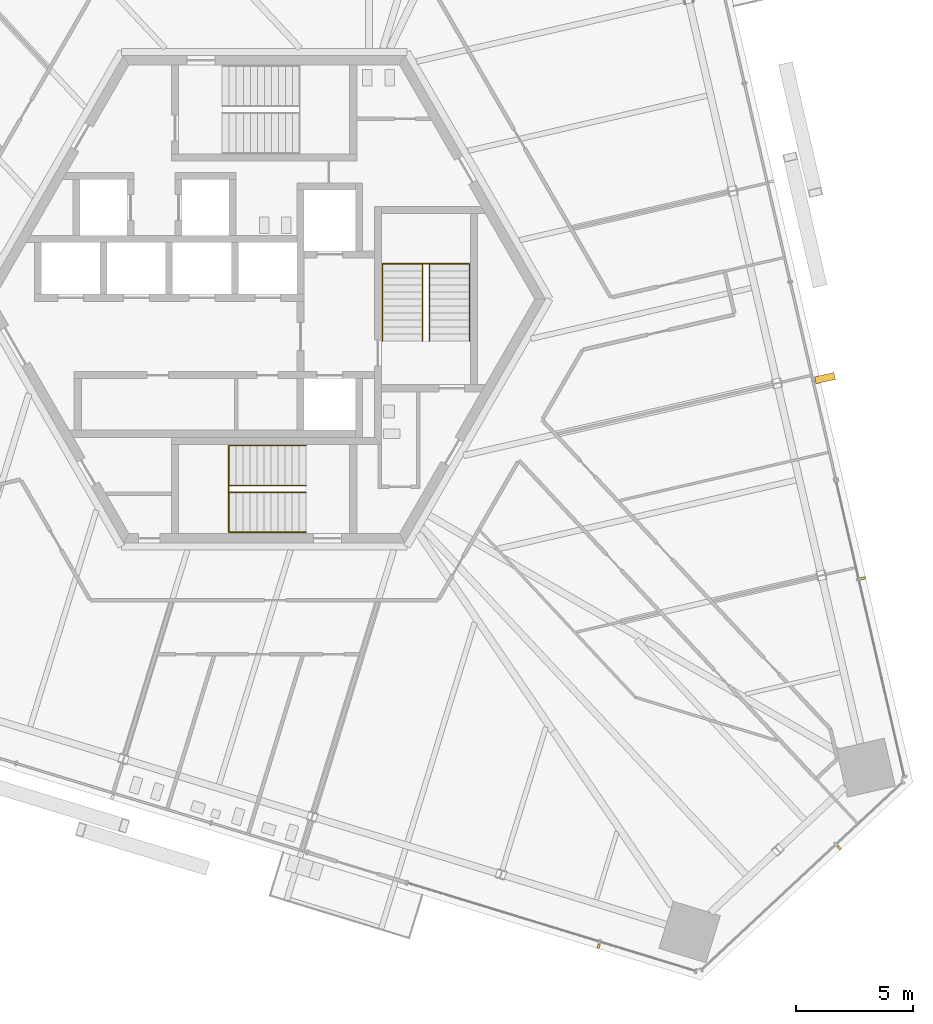
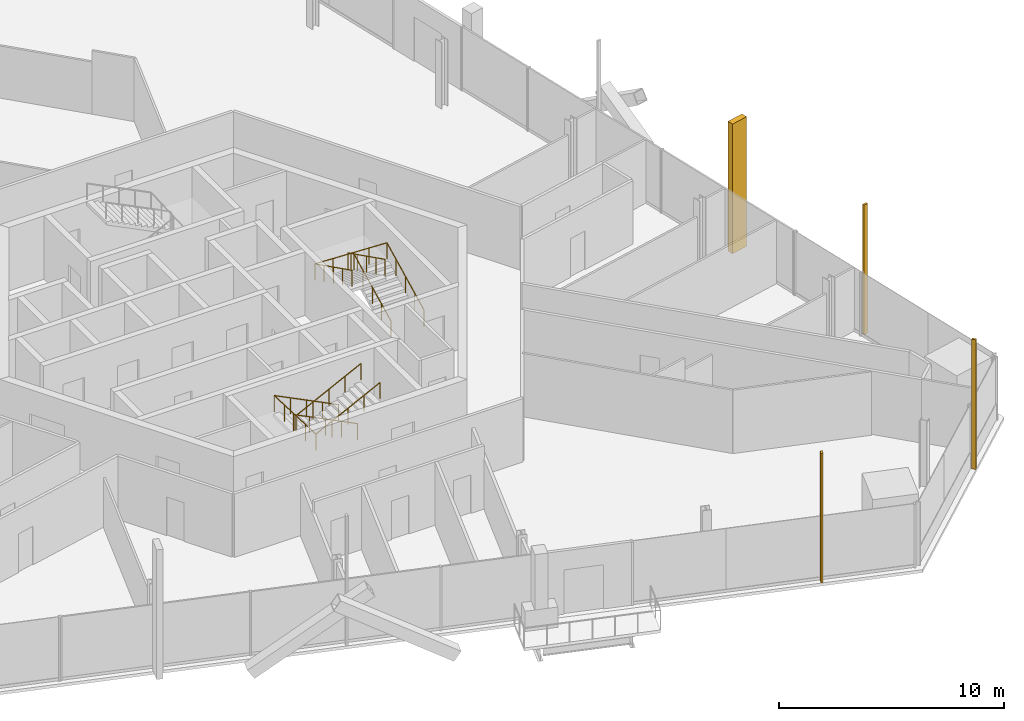
# One storey, part 19 of 24: 4 railings, 4 shading devices.
"""IFC4 building model written with IfcOpenShell, lengths in metres."""

from ifc_helpers import new_model, si_unit, direction, frame, origin, origin_2d, place, context, subcontext, project, spatial, rectangle, circle, extrude, source, transform, mapped, material, type_object, element, save


model = new_model("IFC4")

# Units and contexts
model_context = context("Model", 3, precision=1e-05, world=origin(), true_north=direction((0.0, 1.0)))
body_context = subcontext(model_context, "Body", "Model", "MODEL_VIEW")
ifc_project = project(units=[si_unit("LENGTHUNIT", "METRE"), si_unit("AREAUNIT", "SQUARE_METRE"), si_unit("VOLUMEUNIT", "CUBIC_METRE"), si_unit("PLANEANGLEUNIT", "RADIAN"), si_unit("MASSUNIT", "GRAM", prefix="KILO")], contexts=[model_context])

# Site, building, storey
site_placement = place(None, origin())
site = spatial("IfcSite", under=ifc_project, at=site_placement, CompositionType="ELEMENT")
building_placement = place(site_placement, origin())
building = spatial("IfcBuilding", under=site, at=building_placement, Name="Triune Harvest Tower", CompositionType="ELEMENT")
storey_placement = place(building_placement, frame((0.0, 0.0, 112.699951171875)))
storey = spatial("IfcBuildingStorey", under=building, at=storey_placement, Name="L28", CompositionType="ELEMENT", Elevation=112.699951171875)

# Railings
ifc_material_1 = material(Name="Stainless steel AISI 316", Category="steel")
railing_type = type_object("IfcRailingType", Name="Stair handrail", PredefinedType="HANDRAIL", material=ifc_material_1)
shared_shape_1 = source(origin(), body_context, "Body", "SweptSolid", [
    extrude(circle(Radius=0.02392578125, at=origin_2d()), frame((0.0, 0.0, 0.8759765625), z_axis=(-0.894440424912, 0.0, 0.447187126696), x_axis=(0.0, -1.0, 0.0)), (0.0, 0.0, 1.0), 3.689453125),
    extrude(circle(Radius=0.02392578125, at=origin_2d()), frame((-3.300048828125, 0.0, 2.52587890625), z_axis=(0.0, -0.999180289278, 0.040481471304), x_axis=(1.0, 0.0, 0.0)), (0.0, 0.0, 1.0), 3.702880859375),
    extrude(circle(Radius=0.02392578125, at=origin_2d()), frame((-3.300048828125, -3.699951171875, 2.67578125), z_axis=(0.894413956696, 0.0, 0.447240063129), x_axis=(0.0, 1.0, 0.0)), (0.0, 0.0, 1.0), 3.689697265625),
    extrude(circle(Radius=0.02099609375, at=origin_2d()), origin(), (0.0, 0.0, 1.0), 0.851806640625),
    extrude(circle(Radius=0.02099609375, at=origin_2d()), frame((-0.824951171875, 0.0, 0.41259765625)), (0.0, 0.0, 1.0), 0.851806640625),
    extrude(circle(Radius=0.02099609375, at=origin_2d()), frame((-1.64990234375, 0.0, 0.824951171875)), (0.0, 0.0, 1.0), 0.851806640625),
    extrude(circle(Radius=0.02099609375, at=origin_2d()), frame((-2.47509765625, 0.0, 1.2373046875)), (0.0, 0.0, 1.0), 0.851806640625),
    extrude(circle(Radius=0.02099609375, at=origin_2d()), frame((-3.300048828125, 0.0, 1.64990234375)), (0.0, 0.0, 1.0), 0.851806640625),
    extrude(circle(Radius=0.02099609375, at=origin_2d()), frame((-3.300048828125, -0.925048828125, 1.6875)), (0.0, 0.0, 1.0), 0.851806640625),
    extrude(circle(Radius=0.02099609375, at=origin_2d()), frame((-3.300048828125, -1.85009765625, 1.724853515625)), (0.0, 0.0, 1.0), 0.851806640625),
    extrude(circle(Radius=0.02099609375, at=origin_2d()), frame((-3.300048828125, -2.77490234375, 1.76220703125)), (0.0, 0.0, 1.0), 0.851806640625),
    extrude(circle(Radius=0.02099609375, at=origin_2d()), frame((-3.300048828125, -3.699951171875, 1.7998046875)), (0.0, 0.0, 1.0), 0.851806640625),
    extrude(circle(Radius=0.02099609375, at=origin_2d()), frame((-2.47509765625, -3.699951171875, 2.21240234375)), (0.0, 0.0, 1.0), 0.851806640625),
    extrude(circle(Radius=0.02099609375, at=origin_2d()), frame((-1.64990234375, -3.699951171875, 2.625)), (0.0, 0.0, 1.0), 0.851806640625),
    extrude(circle(Radius=0.02099609375, at=origin_2d()), frame((-0.824951171875, -3.699951171875, 3.037353515625)), (0.0, 0.0, 1.0), 0.851806640625),
    extrude(circle(Radius=0.02099609375, at=origin_2d()), frame((0.0, -3.699951171875, 3.449951171875)), (0.0, 0.0, 1.0), 0.851806640625),
])
railing_1_placement = place(storey_placement, frame((1.7900390625, -6.239990234375, 0.150146484375)))
element("IfcRailing", 1, at=railing_1_placement, inside=storey, type_object=railing_type, Name="Exit stair south wall handrail", PredefinedType="HANDRAIL", context=body_context, shape_type="MappedRepresentation", body=[
    mapped(shared_shape_1, transform((0.0, 0.0, 0.0), scale=1.0)),
])
shared_shape_2 = source(origin(), body_context, "Body", "SweptSolid", [
    extrude(circle(Radius=0.02392578125, at=origin_2d()), frame((0.0, 0.0, 0.8759765625), z_axis=(-0.894440424912, 0.0, 0.447187126696), x_axis=(0.0, -1.0, 0.0)), (0.0, 0.0, 1.0), 3.689453125),
    extrude(circle(Radius=0.02392578125, at=origin_2d()), frame((-3.300048828125, 0.0, 2.52587890625), z_axis=(0.0, -0.894572720946, 0.446922417137), x_axis=(1.0, 0.0, 0.0)), (0.0, 0.0, 1.0), 0.33544921875),
    extrude(circle(Radius=0.02392578125, at=origin_2d()), frame((-3.300048828125, -0.300048828125, 2.67578125), z_axis=(0.894413956696, 0.0, 0.447240063129), x_axis=(0.0, 1.0, 0.0)), (0.0, 0.0, 1.0), 3.689697265625),
    extrude(circle(Radius=0.02099609375, at=origin_2d()), origin(), (0.0, 0.0, 1.0), 0.851806640625),
    extrude(circle(Radius=0.02099609375, at=origin_2d()), frame((-0.824951171875, 0.0, 0.41259765625)), (0.0, 0.0, 1.0), 0.851806640625),
    extrude(circle(Radius=0.02099609375, at=origin_2d()), frame((-1.64990234375, 0.0, 0.824951171875)), (0.0, 0.0, 1.0), 0.851806640625),
    extrude(circle(Radius=0.02099609375, at=origin_2d()), frame((-2.47509765625, 0.0, 1.2373046875)), (0.0, 0.0, 1.0), 0.851806640625),
    extrude(circle(Radius=0.02099609375, at=origin_2d()), frame((-3.300048828125, 0.0, 1.64990234375)), (0.0, 0.0, 1.0), 0.851806640625),
    extrude(circle(Radius=0.02099609375, at=origin_2d()), frame((-3.300048828125, -0.300048828125, 1.7998046875)), (0.0, 0.0, 1.0), 0.851806640625),
    extrude(circle(Radius=0.02099609375, at=origin_2d()), frame((-2.47509765625, -0.300048828125, 2.21240234375)), (0.0, 0.0, 1.0), 0.851806640625),
    extrude(circle(Radius=0.02099609375, at=origin_2d()), frame((-1.64990234375, -0.300048828125, 2.625)), (0.0, 0.0, 1.0), 0.851806640625),
    extrude(circle(Radius=0.02099609375, at=origin_2d()), frame((-0.824951171875, -0.300048828125, 3.037353515625)), (0.0, 0.0, 1.0), 0.851806640625),
    extrude(circle(Radius=0.02099609375, at=origin_2d()), frame((0.0, -0.300048828125, 3.449951171875)), (0.0, 0.0, 1.0), 0.851806640625),
])
railing_2_placement = place(storey_placement, frame((1.7900390625, -7.93994140625, 0.150146484375)))
element("IfcRailing", 2, at=railing_2_placement, inside=storey, type_object=railing_type, Name="Exit stair south centre handrail", PredefinedType="HANDRAIL", context=body_context, shape_type="MappedRepresentation", body=[
    mapped(shared_shape_2, transform((0.0, 0.0, 0.0), scale=1.0)),
])
shared_shape_3 = source(origin(), body_context, "Body", "SweptSolid", [
    extrude(circle(Radius=0.02392578125, at=origin_2d()), frame((0.0, 0.0, 0.8759765625), z_axis=(0.0, 0.894440424912, 0.447187126696), x_axis=(-1.0, 0.0, 0.0)), (0.0, 0.0, 1.0), 3.689453125),
    extrude(circle(Radius=0.02392578125, at=origin_2d()), frame((0.0, 3.300048828125, 2.52587890625), z_axis=(-0.999180289278, 0.0, 0.040481471304), x_axis=(0.0, -1.0, 0.0)), (0.0, 0.0, 1.0), 3.702880859375),
    extrude(circle(Radius=0.02392578125, at=origin_2d()), frame((-3.699951171875, 3.300048828125, 2.67578125), z_axis=(0.0, -0.894413956696, 0.447240063129), x_axis=(1.0, 0.0, 0.0)), (0.0, 0.0, 1.0), 3.689697265625),
    extrude(circle(Radius=0.02099609375, at=origin_2d()), origin(), (0.0, 0.0, 1.0), 0.851806640625),
    extrude(circle(Radius=0.02099609375, at=origin_2d()), frame((0.0, 0.824951171875, 0.41259765625)), (0.0, 0.0, 1.0), 0.851806640625),
    extrude(circle(Radius=0.02099609375, at=origin_2d()), frame((0.0, 1.64990234375, 0.824951171875)), (0.0, 0.0, 1.0), 0.851806640625),
    extrude(circle(Radius=0.02099609375, at=origin_2d()), frame((0.0, 2.47509765625, 1.2373046875)), (0.0, 0.0, 1.0), 0.851806640625),
    extrude(circle(Radius=0.02099609375, at=origin_2d()), frame((0.0, 3.300048828125, 1.64990234375)), (0.0, 0.0, 1.0), 0.851806640625),
    extrude(circle(Radius=0.02099609375, at=origin_2d()), frame((-0.925048828125, 3.300048828125, 1.6875)), (0.0, 0.0, 1.0), 0.851806640625),
    extrude(circle(Radius=0.02099609375, at=origin_2d()), frame((-1.85009765625, 3.300048828125, 1.724853515625)), (0.0, 0.0, 1.0), 0.851806640625),
    extrude(circle(Radius=0.02099609375, at=origin_2d()), frame((-2.77490234375, 3.300048828125, 1.76220703125)), (0.0, 0.0, 1.0), 0.851806640625),
    extrude(circle(Radius=0.02099609375, at=origin_2d()), frame((-3.699951171875, 3.300048828125, 1.7998046875)), (0.0, 0.0, 1.0), 0.851806640625),
    extrude(circle(Radius=0.02099609375, at=origin_2d()), frame((-3.699951171875, 2.47509765625, 2.21240234375)), (0.0, 0.0, 1.0), 0.851806640625),
    extrude(circle(Radius=0.02099609375, at=origin_2d()), frame((-3.699951171875, 1.64990234375, 2.625)), (0.0, 0.0, 1.0), 0.851806640625),
    extrude(circle(Radius=0.02099609375, at=origin_2d()), frame((-3.699951171875, 0.824951171875, 3.037353515625)), (0.0, 0.0, 1.0), 0.851806640625),
    extrude(circle(Radius=0.02099609375, at=origin_2d()), frame((-3.699951171875, 0.0, 3.449951171875)), (0.0, 0.0, 1.0), 0.851806640625),
])
railing_3_placement = place(storey_placement, frame((8.75, -1.7900390625, 0.150146484375)))
element("IfcRailing", 3, at=railing_3_placement, inside=storey, type_object=railing_type, Name="Exit stair east wall handrail", PredefinedType="HANDRAIL", context=body_context, shape_type="MappedRepresentation", body=[
    mapped(shared_shape_3, transform((0.0, 0.0, 0.0), scale=1.0)),
])
shared_shape_4 = source(origin(), body_context, "Body", "SweptSolid", [
    extrude(circle(Radius=0.02392578125, at=origin_2d()), frame((0.0, 0.0, 0.8759765625), z_axis=(0.0, 0.894440424912, 0.447187126696), x_axis=(-1.0, 0.0, 0.0)), (0.0, 0.0, 1.0), 3.689453125),
    extrude(circle(Radius=0.02392578125, at=origin_2d()), frame((0.0, 3.300048828125, 2.52587890625), z_axis=(-0.894572720946, 0.0, 0.446922417137), x_axis=(0.0, -1.0, 0.0)), (0.0, 0.0, 1.0), 0.33544921875),
    extrude(circle(Radius=0.02392578125, at=origin_2d()), frame((-0.300048828125, 3.300048828125, 2.67578125), z_axis=(0.0, -0.894413956696, 0.447240063129), x_axis=(1.0, 0.0, 0.0)), (0.0, 0.0, 1.0), 3.689697265625),
    extrude(circle(Radius=0.02099609375, at=origin_2d()), origin(), (0.0, 0.0, 1.0), 0.851806640625),
    extrude(circle(Radius=0.02099609375, at=origin_2d()), frame((0.0, 0.824951171875, 0.41259765625)), (0.0, 0.0, 1.0), 0.851806640625),
    extrude(circle(Radius=0.02099609375, at=origin_2d()), frame((0.0, 1.64990234375, 0.824951171875)), (0.0, 0.0, 1.0), 0.851806640625),
    extrude(circle(Radius=0.02099609375, at=origin_2d()), frame((0.0, 2.47509765625, 1.2373046875)), (0.0, 0.0, 1.0), 0.851806640625),
    extrude(circle(Radius=0.02099609375, at=origin_2d()), frame((0.0, 3.300048828125, 1.64990234375)), (0.0, 0.0, 1.0), 0.851806640625),
    extrude(circle(Radius=0.02099609375, at=origin_2d()), frame((-0.300048828125, 3.300048828125, 1.7998046875)), (0.0, 0.0, 1.0), 0.851806640625),
    extrude(circle(Radius=0.02099609375, at=origin_2d()), frame((-0.300048828125, 2.47509765625, 2.21240234375)), (0.0, 0.0, 1.0), 0.851806640625),
    extrude(circle(Radius=0.02099609375, at=origin_2d()), frame((-0.300048828125, 1.64990234375, 2.625)), (0.0, 0.0, 1.0), 0.851806640625),
    extrude(circle(Radius=0.02099609375, at=origin_2d()), frame((-0.300048828125, 0.824951171875, 3.037353515625)), (0.0, 0.0, 1.0), 0.851806640625),
    extrude(circle(Radius=0.02099609375, at=origin_2d()), frame((-0.300048828125, 0.0, 3.449951171875)), (0.0, 0.0, 1.0), 0.851806640625),
])
railing_4_placement = place(storey_placement, frame((7.050048828125, -1.7900390625, 0.150146484375)))
element("IfcRailing", 4, at=railing_4_placement, inside=storey, type_object=railing_type, Name="Exit stair east centre handrail", PredefinedType="HANDRAIL", context=body_context, shape_type="MappedRepresentation", body=[
    mapped(shared_shape_4, transform((0.0, 0.0, 0.0), scale=1.0)),
])

# Shading devices
ifc_material_2 = material(Name="Aluminium bronze anodised", Category="aluminium")
shared_shape_5 = source(origin(), body_context, "Body", "SweptSolid", [
    extrude(rectangle(XDim=0.10009765625, YDim=0.199951171875, at=origin_2d()), origin(), (0.0, 0.0, 1.0), 7.0400390625),
])
for number, where, z_axis, x_axis, name in (
    (5, (25.556640625, -11.902099609375, 0.0), (0.0, 0.0, 1.0), (-0.22495121687, 0.974370027263, 0.0), "FN-1 fin B3-F1.3 L28"),
    (6, (14.260498046875, -27.599609375, 0.0), (0.0, 0.0, 1.0), (0.956304229664, -0.292373426164, 0.0), "FN-1 fin B3-F5.12 L28"),
    (7, (24.51806640625, -23.397216796875, 0.0), (0.0, 0.0, 1.0), (0.731349946151, 0.682002387287, 0.0), "FN-1 fin B3-F6.3 L28"),
):
    element("IfcShadingDevice", number, at=place(storey_placement, frame(where, z_axis=z_axis, x_axis=x_axis)), inside=storey, material=ifc_material_2, Name=name, ObjectType="FIN", PredefinedType="USERDEFINED", context=body_context, shape_type="MappedRepresentation", body=[
        mapped(shared_shape_5, transform((0.0, 0.0, 0.0), scale=1.0)),
    ])
shared_shape_6 = source(origin(), body_context, "Body", "SweptSolid", [
    extrude(rectangle(XDim=0.300048828125, YDim=0.85009765625, at=origin_2d()), origin(), (0.0, 0.0, 1.0), 7.0400390625),
])
shading_device_placement = place(storey_placement, frame((23.919677734375, -3.3671875, 0.0), z_axis=(0.0, 0.0, 1.0), x_axis=(-0.22495121687, 0.974370027263, 0.0)))
element("IfcShadingDevice", 8, at=shading_device_placement, inside=storey, material=ifc_material_2, Name="FN-2 fin B3-F1.5 L28", ObjectType="FIN", PredefinedType="USERDEFINED", context=body_context, shape_type="MappedRepresentation", body=[
    mapped(shared_shape_6, transform((0.0, 0.0, 0.0), scale=1.0)),
])

save(model, "model.ifc")
